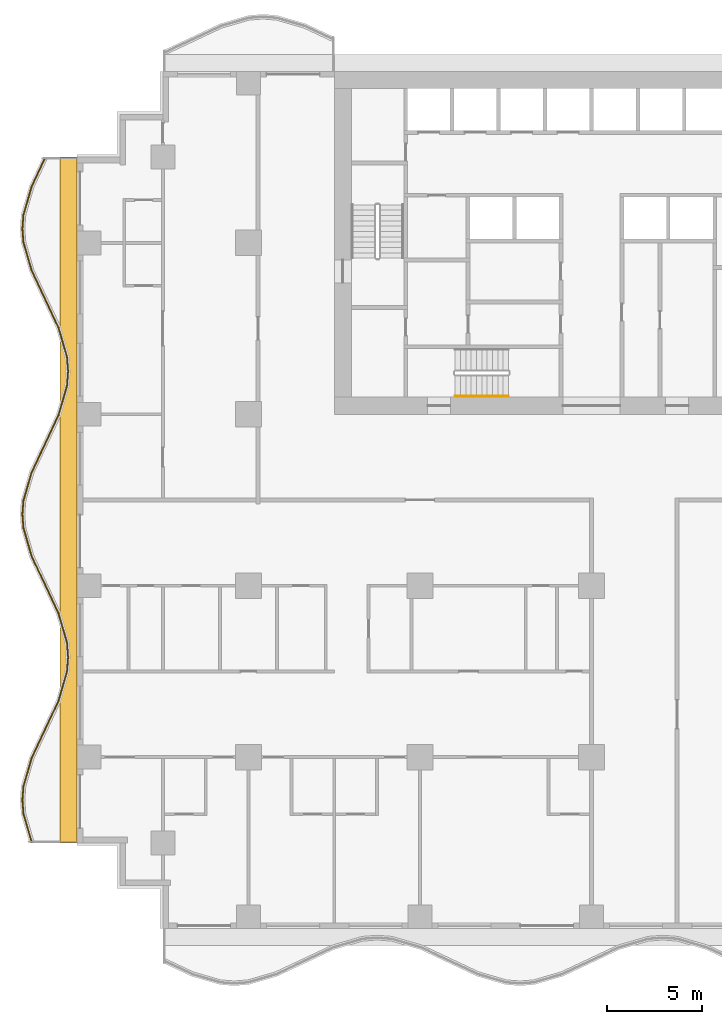
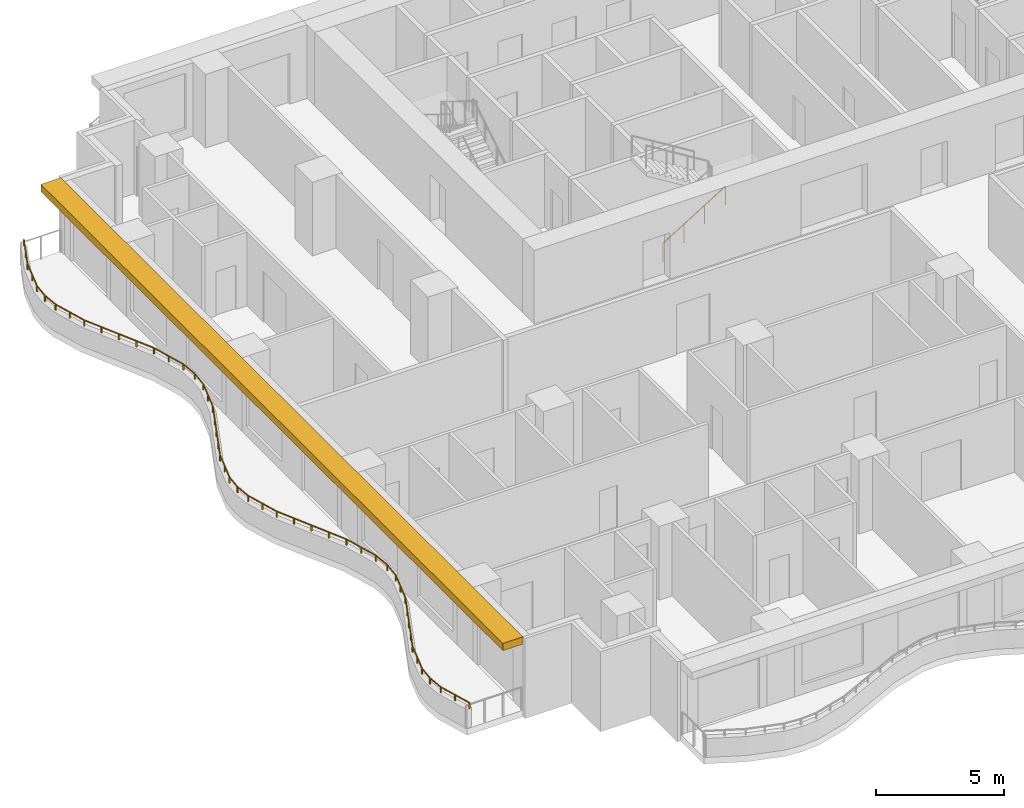
# One storey, part 9 of 14: 2 railings, 1 shading device.
"""IFC4 building model written with IfcOpenShell, lengths in metres."""

import ifcopenshell
import ifcopenshell.guid

model = None  # the IFC model being written
_history = None  # IfcOwnerHistory: only IFC2X3 demands one
_inside = {}  # id of a spatial element -> (the spatial element, [elements in it])
_under = {}  # id of a project, library or spatial element -> (it, [spatial elements below it])
_declared = {}  # id of a project -> (the project, [libraries it declares])
_typed = {}  # id of a type object -> (the type object, [elements of that type])
_made_of = {}  # id of a material, layer set ... -> (it, [elements and type objects made of it])


def new_model(schema):
    """Start an empty IFC model of exactly this schema.

    Asked for "IFC4X3", IfcOpenShell would pick the latest addendum, in which some entities
    have other attributes; the version numbers below select the first issue.
    IFC2X3 requires an IfcOwnerHistory on every rooted entity: one is made here for all.
    """
    global model, _history
    if schema == "IFC4X3":
        model = ifcopenshell.file(schema_version=(4, 3, 0, 0))
    else:
        model = ifcopenshell.file(schema=schema)
    _inside.clear()
    _under.clear()
    _declared.clear()
    _typed.clear()
    _made_of.clear()
    _history = None
    if model.schema == "IFC2X3":
        org = make("IfcOrganization", Name="unknown")
        user = make(
            "IfcPersonAndOrganization",
            ThePerson=make("IfcPerson", FamilyName="unknown"),
            TheOrganization=org,
        )
        app = make(
            "IfcApplication",
            ApplicationDeveloper=org,
            Version="unknown",
            ApplicationFullName="unknown",
            ApplicationIdentifier="unknown",
        )
        _history = make(
            "IfcOwnerHistory",
            OwningUser=user,
            OwningApplication=app,
            ChangeAction="ADDED",
            CreationDate=0,
        )
    return model


def make(cls, **values):
    """One entity of the class cls with the attributes given. An attribute that is None is left unset."""
    return model.create_entity(
        cls, **{name: value for name, value in values.items() if value is not None}
    )


def rooted(cls, **values):
    """An entity with a GlobalId (a new one), such as an element, a storey or a relation."""
    return make(cls, GlobalId=ifcopenshell.guid.new(), OwnerHistory=_history, **values)


def si_unit(unit_type, name, prefix=None):
    """IfcSIUnit, for example si_unit("LENGTHUNIT", "METRE", prefix="MILLI")."""
    return make("IfcSIUnit", UnitType=unit_type, Prefix=prefix, Name=name)


def assignment(units):
    """IfcUnitAssignment: the units of a project."""
    return None if units is None else make("IfcUnitAssignment", Units=units)


def point(xyz):
    """IfcCartesianPoint."""
    return None if xyz is None else make("IfcCartesianPoint", Coordinates=xyz)


def direction(xyz):
    """IfcDirection."""
    return None if xyz is None else make("IfcDirection", DirectionRatios=xyz)


def frame(location, z_axis=None, x_axis=None):
    """IfcAxis2Placement3D, a coordinate frame: its origin and axes. An axis left out is left unset."""
    return make(
        "IfcAxis2Placement3D",
        Location=point(location),
        Axis=direction(z_axis),
        RefDirection=direction(x_axis),
    )


def frame_2d(location, x_axis=None):
    """IfcAxis2Placement2D, a coordinate frame in the plane: its origin and x axis."""
    return make(
        "IfcAxis2Placement2D", Location=point(location), RefDirection=direction(x_axis)
    )


def origin():
    """The frame at (0, 0, 0) with its axes left unset."""
    return frame((0.0, 0.0, 0.0))


def origin_2d():
    """The frame at (0, 0) in the plane with its x axis left unset."""
    return frame_2d((0.0, 0.0))


def place(relative_to, where):
    """IfcLocalPlacement: puts the frame where relative to a parent placement (None: the world)."""
    return make(
        "IfcLocalPlacement", PlacementRelTo=relative_to, RelativePlacement=where
    )


def context(
    kind, dimensions, precision=None, world=None, true_north=None, identifier=None
):
    """IfcGeometricRepresentationContext, for example the 3D "Model" context."""
    return make(
        "IfcGeometricRepresentationContext",
        ContextIdentifier=identifier,
        ContextType=kind,
        CoordinateSpaceDimension=dimensions,
        Precision=precision,
        WorldCoordinateSystem=world,
        TrueNorth=true_north,
    )


def subcontext(parent, identifier, kind, view, scale=None):
    """IfcGeometricRepresentationSubContext, for example "Body" below "Model"."""
    return make(
        "IfcGeometricRepresentationSubContext",
        ContextIdentifier=identifier,
        ContextType=kind,
        ParentContext=parent,
        TargetScale=scale,
        TargetView=view,
    )


def project(units=None, contexts=None):
    """IfcProject with its units and contexts."""
    return rooted(
        "IfcProject",
        Name="project",
        RepresentationContexts=contexts,
        UnitsInContext=assignment(units),
    )


def spatial(cls, under=None, at=None, **own):
    """A site, building, storey or space (cls), placed at a placement, below another one or the project."""
    s = rooted(cls, ObjectPlacement=at, **own)
    if under is not None:
        _under.setdefault(under.id(), (under, []))[1].append(s)
    return s


def polyline(points):
    """IfcPolyline through the points."""
    return make("IfcPolyline", Points=[point(p) for p in points])


def profile(cls, at=None, kind="AREA", **sizes):
    """A parametric profile (cls). Its sizes go by their IFC names, for example OverallWidth=200.0."""
    return make(cls, ProfileType=kind, Position=at, **sizes)


def rectangle(**sizes):
    """IfcRectangleProfileDef."""
    return profile("IfcRectangleProfileDef", **sizes)


def circle(**sizes):
    """IfcCircleProfileDef."""
    return profile("IfcCircleProfileDef", **sizes)


def outline(outer, holes=None, kind="AREA"):
    """IfcArbitraryClosedProfileDef: a profile drawn as a closed curve; with holes, ...WithVoids."""
    if holes is None:
        return make("IfcArbitraryClosedProfileDef", ProfileType=kind, OuterCurve=outer)
    return make(
        "IfcArbitraryProfileDefWithVoids",
        ProfileType=kind,
        OuterCurve=outer,
        InnerCurves=holes,
    )


def extrude(swept, where, along, depth):
    """IfcExtrudedAreaSolid: the profile swept, set in the frame where, extruded along a direction by depth."""
    return make(
        "IfcExtrudedAreaSolid",
        SweptArea=swept,
        Position=where,
        ExtrudedDirection=direction(along),
        Depth=depth,
    )


def shape(context_of_items, identifier, shape_type, items):
    """IfcShapeRepresentation: the items that make up one representation, for example the "Body"."""
    return make(
        "IfcShapeRepresentation",
        ContextOfItems=context_of_items,
        RepresentationIdentifier=identifier,
        RepresentationType=shape_type,
        Items=items,
    )


def material(Name=None, Category=None):
    """IfcMaterial."""
    return make("IfcMaterial", Name=Name, Category=Category)


def layer(
    of_material, thickness, ventilated=None, Name=None, Category=None, Priority=None
):
    """IfcMaterialLayer: one layer of a wall or slab, of a material (None: an air gap)."""
    return make(
        "IfcMaterialLayer",
        Material=of_material,
        LayerThickness=thickness,
        IsVentilated=ventilated,
        Name=Name,
        Category=Category,
        Priority=Priority,
    )


def layer_set(layers, Name=None):
    """IfcMaterialLayerSet."""
    return make("IfcMaterialLayerSet", MaterialLayers=layers, LayerSetName=Name)


def made_of(thing, what):
    """Note that an element or type object is made of a material, layer set ...; save() writes the relation."""
    if what is not None:
        _made_of.setdefault(what.id(), (what, []))[1].append(thing)
    return thing


def type_object(cls, material=None, **own):
    """A type object (cls), such as IfcWallType, which elements share."""
    return made_of(rooted(cls, **own), material)


def element(
    cls,
    number,
    at=None,
    inside=None,
    cuts=None,
    type_object=None,
    material=None,
    context=None,
    identifier="Body",
    shape_type=None,
    held_by="IfcProductDefinitionShape",
    body=None,
    shapes=None,
    **own,
):
    """One element of the class cls, such as IfcWall. Its Tag is "e" and its number.

    at: its placement. inside: the storey or other place that contains it. cuts: it is an
    opening in that element (IfcRelVoidsElement). A single representation is given by context,
    identifier, shape_type and body (its items); several are given by shapes. held_by: the class
    of the entity that holds the representations. save() writes the other relations.
    """
    e = rooted(cls, Tag="e%d" % number, ObjectPlacement=at, **own)
    if body is not None:
        shapes = [shape(context, identifier, shape_type, body)]
    if shapes is not None:
        e.Representation = make(held_by, Representations=shapes)
    if inside is not None:
        _inside.setdefault(inside.id(), (inside, []))[1].append(e)
    if cuts is not None:
        rooted(
            "IfcRelVoidsElement", RelatingBuildingElement=cuts, RelatedOpeningElement=e
        )
    if type_object is not None:
        _typed.setdefault(type_object.id(), (type_object, []))[1].append(e)
    return made_of(e, material)


def aggregate(whole, parts):
    """IfcRelAggregates: a whole, such as a stair, and the parts it consists of."""
    return rooted("IfcRelAggregates", RelatingObject=whole, RelatedObjects=parts)


def save(model, path):
    """Write the relations noted so far, then the file.

    IfcRelAggregates (storeys below a building ...), IfcRelContainedInSpatialStructure (elements
    in a storey), IfcRelDefinesByType, IfcRelAssociatesMaterial and IfcRelDeclares: one each for
    every whole, place, type object, material and project.
    """
    for whole, parts in _under.values():
        aggregate(whole, parts)
    for where, things in _inside.values():
        rooted(
            "IfcRelContainedInSpatialStructure",
            RelatedElements=things,
            RelatingStructure=where,
        )
    for kind, things in _typed.values():
        rooted("IfcRelDefinesByType", RelatedObjects=things, RelatingType=kind)
    for what, things in _made_of.values():
        rooted("IfcRelAssociatesMaterial", RelatedObjects=things, RelatingMaterial=what)
    for by, libraries in _declared.values():
        rooted("IfcRelDeclares", RelatingContext=by, RelatedDefinitions=libraries)
    model.write(path)


model = new_model("IFC4")

# Units and contexts
model_context = context("Model", 3, precision=1e-05, world=origin(), true_north=direction((0.0, 1.0)))
body_context = subcontext(model_context, "Body", "Model", "MODEL_VIEW")
ifc_project = project(units=[si_unit("LENGTHUNIT", "METRE"), si_unit("AREAUNIT", "SQUARE_METRE"), si_unit("VOLUMEUNIT", "CUBIC_METRE"), si_unit("PLANEANGLEUNIT", "RADIAN"), si_unit("MASSUNIT", "GRAM", prefix="KILO")], contexts=[model_context])

# Site, building, storey
site_placement = place(None, origin())
site = spatial("IfcSite", under=ifc_project, at=site_placement, CompositionType="ELEMENT")
building_placement = place(site_placement, origin())
building = spatial("IfcBuilding", under=site, at=building_placement, Name="Orbiselva Terraces", CompositionType="ELEMENT")
storey_placement = place(building_placement, frame((0.0, 0.0, 107.4)))
storey = spatial("IfcBuildingStorey", under=building, at=storey_placement, Name="L27", CompositionType="ELEMENT", Elevation=107.4)

# Railings
ifc_material_1 = material(Name="Stainless steel", Category="steel")
railing_type_1 = type_object("IfcRailingType", Name="CORE-HANDRAIL-900", PredefinedType="HANDRAIL", material=ifc_material_1)
railing_1_placement = place(storey_placement, frame((-7.15, 5.45, 0.172727)))
element("IfcRailing", 1, at=railing_1_placement, inside=storey, type_object=railing_type_1, Name="L27 S3 stair handrail 1", PredefinedType="HANDRAIL", context=body_context, shape_type="SweptSolid", body=[
    extrude(circle(Radius=0.024, at=origin_2d()), frame((0.0, 0.0, 0.876), z_axis=(0.851088519012, 0.0, 0.52502222125), x_axis=(0.0, 1.0, 0.0)), (0.0, 0.0, 1.0), 3.289905),
    extrude(circle(Radius=0.021, at=origin_2d()), origin(), (0.0, 0.0, 1.0), 0.852),
    extrude(circle(Radius=0.021, at=origin_2d()), frame((0.933333, 0.0, 0.575758)), (0.0, 0.0, 1.0), 0.852),
    extrude(circle(Radius=0.021, at=origin_2d()), frame((1.866667, 0.0, 1.151515)), (0.0, 0.0, 1.0), 0.852),
    extrude(circle(Radius=0.021, at=origin_2d()), frame((2.8, 0.0, 1.727273)), (0.0, 0.0, 1.0), 0.852),
])
ifc_material_2 = material(Name="Bonded two-ply safety glass balustrade, stainless steel posts", Category="steel")
railing_type_2 = type_object("IfcRailingType", Name="ENV-BALUSTRADE-1200", PredefinedType="BALUSTRADE", material=ifc_material_2)
railing_2_placement = place(storey_placement, frame((-28.686882, 17.946809, 0.9)))
element("IfcRailing", 2, at=railing_2_placement, inside=storey, type_object=railing_type_2, Name="Balcony balustrade L27 W", PredefinedType="BALUSTRADE", context=body_context, shape_type="SweptSolid", body=[
    extrude(outline(polyline([(0.028868, 0.0), (0.014434, 0.025), (-0.014434, 0.025), (-0.028868, 0.0), (-0.014434, -0.025), (0.014434, -0.025), (0.028868, 0.0)])), frame((0.0, 0.0, 0.275), z_axis=(-0.425529912322, -0.904944359461, 0.0), x_axis=(0.904944359461, -0.425529912322, 0.0)), (0.0, 0.0, 1.0), 1.647746),
    extrude(outline(polyline([(0.028868, 0.0), (0.014434, 0.025), (-0.014434, 0.025), (-0.028868, 0.0), (-0.014434, -0.025), (0.014434, -0.025), (0.028868, 0.0)])), frame((-0.701165, -1.491118, 0.275), z_axis=(-0.279071528957, -0.960270317007, 0.0), x_axis=(0.960270317007, -0.279071528957, 0.0)), (0.0, 0.0, 1.0), 1.539408),
    extrude(outline(polyline([(0.028868, 0.0), (0.014434, 0.025), (-0.014434, 0.025), (-0.028868, 0.0), (-0.014434, -0.025), (0.014434, -0.025), (0.028868, 0.0)])), frame((-1.13077, -2.969366, 0.275), z_axis=(-0.078069536776, -0.996947916106, 0.0), x_axis=(0.996947916106, -0.078069536776, 0.0)), (0.0, 0.0, 1.0), 0.72967),
    extrude(outline(polyline([(0.028868, 0.0), (0.014434, 0.025), (-0.014434, 0.025), (-0.028868, 0.0), (-0.014434, -0.025), (0.014434, -0.025), (0.028868, 0.0)])), frame((-1.187735, -3.696809, 0.275), z_axis=(0.078069536776, -0.996947916106, 0.0), x_axis=(0.996947916106, 0.078069536776, 0.0)), (0.0, 0.0, 1.0), 0.72967),
    extrude(outline(polyline([(0.028868, 0.0), (0.014434, 0.025), (-0.014434, 0.025), (-0.028868, 0.0), (-0.014434, -0.025), (0.014434, -0.025), (0.028868, 0.0)])), frame((-1.13077, -4.424252, 0.275), z_axis=(0.279071528957, -0.960270317007, 0.0), x_axis=(0.960270317007, 0.279071528957, 0.0)), (0.0, 0.0, 1.0), 1.539408),
    extrude(outline(polyline([(0.028868, 0.0), (0.014434, 0.025), (-0.014434, 0.025), (-0.028868, 0.0), (-0.014434, -0.025), (0.014434, -0.025), (0.028868, 0.0)])), frame((-0.701165, -5.9025, 0.275), z_axis=(0.425529912322, -0.904944359461, 0.0), x_axis=(0.904944359461, 0.425529912322, 0.0)), (0.0, 0.0, 1.0), 1.647746),
    extrude(outline(polyline([(0.028868, 0.0), (0.014434, 0.025), (-0.014434, 0.025), (-0.028868, 0.0), (-0.014434, -0.025), (0.014434, -0.025), (0.028868, 0.0)])), frame((0.0, -7.393618, 0.275), z_axis=(0.425530342069, -0.904944157382, 0.0), x_axis=(0.904944157382, 0.425530342069, 0.0)), (0.0, 0.0, 1.0), 1.667376),
    extrude(outline(polyline([(0.028868, 0.0), (0.014434, 0.025), (-0.014434, 0.025), (-0.028868, 0.0), (-0.014434, -0.025), (0.014434, -0.025), (0.028868, 0.0)])), frame((0.709519, -8.9025, 0.275), z_axis=(0.279070928786, -0.960270491427, 0.0), x_axis=(0.960270491427, 0.279070928786, 0.0)), (0.0, 0.0, 1.0), 1.584712),
    extrude(outline(polyline([(0.028868, 0.0), (0.014434, 0.025), (-0.014434, 0.025), (-0.028868, 0.0), (-0.014434, -0.025), (0.014434, -0.025), (0.028868, 0.0)])), frame((1.151766, -10.424252, 0.275), z_axis=(0.078071061106, -0.996947796737, 0.0), x_axis=(0.996947796737, 0.078071061106, 0.0)), (0.0, 0.0, 1.0), 0.774922),
    extrude(outline(polyline([(0.028868, 0.0), (0.014434, 0.025), (-0.014434, 0.025), (-0.028868, 0.0), (-0.014434, -0.025), (0.014434, -0.025), (0.028868, 0.0)])), frame((1.212265, -11.196809, 0.275), z_axis=(-0.078071061106, -0.996947796737, 0.0), x_axis=(0.996947796737, -0.078071061106, 0.0)), (0.0, 0.0, 1.0), 0.774922),
    extrude(outline(polyline([(0.028868, 0.0), (0.014434, 0.025), (-0.014434, 0.025), (-0.028868, 0.0), (-0.014434, -0.025), (0.014434, -0.025), (0.028868, 0.0)])), frame((1.151766, -11.969366, 0.275), z_axis=(-0.279070928786, -0.960270491427, 0.0), x_axis=(0.960270491427, -0.279070928786, 0.0)), (0.0, 0.0, 1.0), 1.584712),
    extrude(outline(polyline([(0.028868, 0.0), (0.014434, 0.025), (-0.014434, 0.025), (-0.028868, 0.0), (-0.014434, -0.025), (0.014434, -0.025), (0.028868, 0.0)])), frame((0.709519, -13.491118, 0.275), z_axis=(-0.425530342069, -0.904944157382, 0.0), x_axis=(0.904944157382, -0.425530342069, 0.0)), (0.0, 0.0, 1.0), 1.667376),
    extrude(outline(polyline([(0.028868, 0.0), (0.014434, 0.025), (-0.014434, 0.025), (-0.028868, 0.0), (-0.014434, -0.025), (0.014434, -0.025), (0.028868, 0.0)])), frame((0.0, -15.0, 0.275), z_axis=(-0.425529912322, -0.904944359461, 0.0), x_axis=(0.904944359461, -0.425529912322, 0.0)), (0.0, 0.0, 1.0), 1.647746),
    extrude(outline(polyline([(0.028868, 0.0), (0.014434, 0.025), (-0.014434, 0.025), (-0.028868, 0.0), (-0.014434, -0.025), (0.014434, -0.025), (0.028868, 0.0)])), frame((-0.701165, -16.491118, 0.275), z_axis=(-0.279071528957, -0.960270317007, 0.0), x_axis=(0.960270317007, -0.279071528957, 0.0)), (0.0, 0.0, 1.0), 1.539408),
    extrude(outline(polyline([(0.028868, 0.0), (0.014434, 0.025), (-0.014434, 0.025), (-0.028868, 0.0), (-0.014434, -0.025), (0.014434, -0.025), (0.028868, 0.0)])), frame((-1.13077, -17.969366, 0.275), z_axis=(-0.078069536776, -0.996947916106, 0.0), x_axis=(0.996947916106, -0.078069536776, 0.0)), (0.0, 0.0, 1.0), 0.72967),
    extrude(outline(polyline([(0.028868, 0.0), (0.014434, 0.025), (-0.014434, 0.025), (-0.028868, 0.0), (-0.014434, -0.025), (0.014434, -0.025), (0.028868, 0.0)])), frame((-1.187735, -18.696809, 0.275), z_axis=(0.078069536776, -0.996947916106, 0.0), x_axis=(0.996947916106, 0.078069536776, 0.0)), (0.0, 0.0, 1.0), 0.72967),
    extrude(outline(polyline([(0.028868, 0.0), (0.014434, 0.025), (-0.014434, 0.025), (-0.028868, 0.0), (-0.014434, -0.025), (0.014434, -0.025), (0.028868, 0.0)])), frame((-1.13077, -19.424252, 0.275), z_axis=(0.279071528957, -0.960270317007, 0.0), x_axis=(0.960270317007, 0.279071528957, 0.0)), (0.0, 0.0, 1.0), 1.539408),
    extrude(outline(polyline([(0.028868, 0.0), (0.014434, 0.025), (-0.014434, 0.025), (-0.028868, 0.0), (-0.014434, -0.025), (0.014434, -0.025), (0.028868, 0.0)])), frame((-0.701165, -20.9025, 0.275), z_axis=(0.425529912322, -0.904944359461, 0.0), x_axis=(0.904944359461, 0.425529912322, 0.0)), (0.0, 0.0, 1.0), 1.647746),
    extrude(outline(polyline([(0.028868, 0.0), (0.014434, 0.025), (-0.014434, 0.025), (-0.028868, 0.0), (-0.014434, -0.025), (0.014434, -0.025), (0.028868, 0.0)])), frame((0.0, -22.393618, 0.275), z_axis=(0.425530342069, -0.904944157382, 0.0), x_axis=(0.904944157382, 0.425530342069, 0.0)), (0.0, 0.0, 1.0), 1.667376),
    extrude(outline(polyline([(0.028868, 0.0), (0.014434, 0.025), (-0.014434, 0.025), (-0.028868, 0.0), (-0.014434, -0.025), (0.014434, -0.025), (0.028868, 0.0)])), frame((0.709519, -23.9025, 0.275), z_axis=(0.279070928786, -0.960270491427, 0.0), x_axis=(0.960270491427, 0.279070928786, 0.0)), (0.0, 0.0, 1.0), 1.584712),
    extrude(outline(polyline([(0.028868, 0.0), (0.014434, 0.025), (-0.014434, 0.025), (-0.028868, 0.0), (-0.014434, -0.025), (0.014434, -0.025), (0.028868, 0.0)])), frame((1.151766, -25.424252, 0.275), z_axis=(0.078071061106, -0.996947796737, 0.0), x_axis=(0.996947796737, 0.078071061106, 0.0)), (0.0, 0.0, 1.0), 0.774922),
    extrude(outline(polyline([(0.028868, 0.0), (0.014434, 0.025), (-0.014434, 0.025), (-0.028868, 0.0), (-0.014434, -0.025), (0.014434, -0.025), (0.028868, 0.0)])), frame((1.212265, -26.196809, 0.275), z_axis=(-0.078071061106, -0.996947796737, 0.0), x_axis=(0.996947796737, -0.078071061106, 0.0)), (0.0, 0.0, 1.0), 0.774922),
    extrude(outline(polyline([(0.028868, 0.0), (0.014434, 0.025), (-0.014434, 0.025), (-0.028868, 0.0), (-0.014434, -0.025), (0.014434, -0.025), (0.028868, 0.0)])), frame((1.151766, -26.969366, 0.275), z_axis=(-0.279070928786, -0.960270491427, 0.0), x_axis=(0.960270491427, -0.279070928786, 0.0)), (0.0, 0.0, 1.0), 1.584712),
    extrude(outline(polyline([(0.028868, 0.0), (0.014434, 0.025), (-0.014434, 0.025), (-0.028868, 0.0), (-0.014434, -0.025), (0.014434, -0.025), (0.028868, 0.0)])), frame((0.709519, -28.491118, 0.275), z_axis=(-0.425530342069, -0.904944157382, 0.0), x_axis=(0.904944157382, -0.425530342069, 0.0)), (0.0, 0.0, 1.0), 1.667376),
    extrude(outline(polyline([(0.028868, 0.0), (0.014434, 0.025), (-0.014434, 0.025), (-0.028868, 0.0), (-0.014434, -0.025), (0.014434, -0.025), (0.028868, 0.0)])), frame((0.0, -30.0, 0.275), z_axis=(-0.425529912322, -0.904944359461, 0.0), x_axis=(0.904944359461, -0.425529912322, 0.0)), (0.0, 0.0, 1.0), 1.647746),
    extrude(outline(polyline([(0.028868, 0.0), (0.014434, 0.025), (-0.014434, 0.025), (-0.028868, 0.0), (-0.014434, -0.025), (0.014434, -0.025), (0.028868, 0.0)])), frame((-0.701165, -31.491118, 0.275), z_axis=(-0.279071528957, -0.960270317007, 0.0), x_axis=(0.960270317007, -0.279071528957, 0.0)), (0.0, 0.0, 1.0), 1.539408),
    extrude(outline(polyline([(0.028868, 0.0), (0.014434, 0.025), (-0.014434, 0.025), (-0.028868, 0.0), (-0.014434, -0.025), (0.014434, -0.025), (0.028868, 0.0)])), frame((-1.13077, -32.969366, 0.275), z_axis=(-0.078069536776, -0.996947916106, 0.0), x_axis=(0.996947916106, -0.078069536776, 0.0)), (0.0, 0.0, 1.0), 0.72967),
    extrude(outline(polyline([(0.028868, 0.0), (0.014434, 0.025), (-0.014434, 0.025), (-0.028868, 0.0), (-0.014434, -0.025), (0.014434, -0.025), (0.028868, 0.0)])), frame((-1.187735, -33.696809, 0.275), z_axis=(0.078069536776, -0.996947916106, 0.0), x_axis=(0.996947916106, 0.078069536776, 0.0)), (0.0, 0.0, 1.0), 0.72967),
    extrude(outline(polyline([(0.028868, 0.0), (0.014434, 0.025), (-0.014434, 0.025), (-0.028868, 0.0), (-0.014434, -0.025), (0.014434, -0.025), (0.028868, 0.0)])), frame((-1.13077, -34.424252, 0.275), z_axis=(0.279071486336, -0.960270329394, 0.0), x_axis=(0.960270329394, 0.279071486336, 0.0)), (0.0, 0.0, 1.0), 1.549223),
    extrude(rectangle(XDim=0.05, YDim=0.05, at=origin_2d()), origin(), (0.0, 0.0, 1.0), 0.25),
    extrude(rectangle(XDim=0.05, YDim=0.05, at=origin_2d()), frame((-0.350582, -0.745559, 0.0)), (0.0, 0.0, 1.0), 0.25),
    extrude(rectangle(XDim=0.05, YDim=0.05, at=origin_2d()), frame((-0.701165, -1.491118, 0.0)), (0.0, 0.0, 1.0), 0.25),
    extrude(rectangle(XDim=0.05, YDim=0.05, at=origin_2d()), frame((-0.915967, -2.230242, 0.0)), (0.0, 0.0, 1.0), 0.25),
    extrude(rectangle(XDim=0.05, YDim=0.05, at=origin_2d()), frame((-1.13077, -2.969366, 0.0)), (0.0, 0.0, 1.0), 0.25),
    extrude(rectangle(XDim=0.05, YDim=0.05, at=origin_2d()), frame((-1.187735, -3.696809, 0.0)), (0.0, 0.0, 1.0), 0.25),
    extrude(rectangle(XDim=0.05, YDim=0.05, at=origin_2d()), frame((-1.13077, -4.424252, 0.0)), (0.0, 0.0, 1.0), 0.25),
    extrude(rectangle(XDim=0.05, YDim=0.05, at=origin_2d()), frame((-0.915967, -5.163376, 0.0)), (0.0, 0.0, 1.0), 0.25),
    extrude(rectangle(XDim=0.05, YDim=0.05, at=origin_2d()), frame((-0.701165, -5.9025, 0.0)), (0.0, 0.0, 1.0), 0.25),
    extrude(rectangle(XDim=0.05, YDim=0.05, at=origin_2d()), frame((-0.350582, -6.648059, 0.0)), (0.0, 0.0, 1.0), 0.25),
    extrude(rectangle(XDim=0.05, YDim=0.05, at=origin_2d()), frame((0.0, -7.393618, 0.0)), (0.0, 0.0, 1.0), 0.25),
    extrude(rectangle(XDim=0.05, YDim=0.05, at=origin_2d()), frame((0.35476, -8.148059, 0.0)), (0.0, 0.0, 1.0), 0.25),
    extrude(rectangle(XDim=0.05, YDim=0.05, at=origin_2d()), frame((0.709519, -8.9025, 0.0)), (0.0, 0.0, 1.0), 0.25),
    extrude(rectangle(XDim=0.05, YDim=0.05, at=origin_2d()), frame((0.930643, -9.663376, 0.0)), (0.0, 0.0, 1.0), 0.25),
    extrude(rectangle(XDim=0.05, YDim=0.05, at=origin_2d()), frame((1.151766, -10.424252, 0.0)), (0.0, 0.0, 1.0), 0.25),
    extrude(rectangle(XDim=0.05, YDim=0.05, at=origin_2d()), frame((1.212265, -11.196809, 0.0)), (0.0, 0.0, 1.0), 0.25),
    extrude(rectangle(XDim=0.05, YDim=0.05, at=origin_2d()), frame((1.151766, -11.969366, 0.0)), (0.0, 0.0, 1.0), 0.25),
    extrude(rectangle(XDim=0.05, YDim=0.05, at=origin_2d()), frame((0.930643, -12.730242, 0.0)), (0.0, 0.0, 1.0), 0.25),
    extrude(rectangle(XDim=0.05, YDim=0.05, at=origin_2d()), frame((0.709519, -13.491118, 0.0)), (0.0, 0.0, 1.0), 0.25),
    extrude(rectangle(XDim=0.05, YDim=0.05, at=origin_2d()), frame((0.35476, -14.245559, 0.0)), (0.0, 0.0, 1.0), 0.25),
    extrude(rectangle(XDim=0.05, YDim=0.05, at=origin_2d()), frame((0.0, -15.0, 0.0)), (0.0, 0.0, 1.0), 0.25),
    extrude(rectangle(XDim=0.05, YDim=0.05, at=origin_2d()), frame((-0.350582, -15.745559, 0.0)), (0.0, 0.0, 1.0), 0.25),
    extrude(rectangle(XDim=0.05, YDim=0.05, at=origin_2d()), frame((-0.701165, -16.491118, 0.0)), (0.0, 0.0, 1.0), 0.25),
    extrude(rectangle(XDim=0.05, YDim=0.05, at=origin_2d()), frame((-0.915967, -17.230242, 0.0)), (0.0, 0.0, 1.0), 0.25),
    extrude(rectangle(XDim=0.05, YDim=0.05, at=origin_2d()), frame((-1.13077, -17.969366, 0.0)), (0.0, 0.0, 1.0), 0.25),
    extrude(rectangle(XDim=0.05, YDim=0.05, at=origin_2d()), frame((-1.187735, -18.696809, 0.0)), (0.0, 0.0, 1.0), 0.25),
    extrude(rectangle(XDim=0.05, YDim=0.05, at=origin_2d()), frame((-1.13077, -19.424252, 0.0)), (0.0, 0.0, 1.0), 0.25),
    extrude(rectangle(XDim=0.05, YDim=0.05, at=origin_2d()), frame((-0.915967, -20.163376, 0.0)), (0.0, 0.0, 1.0), 0.25),
    extrude(rectangle(XDim=0.05, YDim=0.05, at=origin_2d()), frame((-0.701165, -20.9025, 0.0)), (0.0, 0.0, 1.0), 0.25),
    extrude(rectangle(XDim=0.05, YDim=0.05, at=origin_2d()), frame((-0.350582, -21.648059, 0.0)), (0.0, 0.0, 1.0), 0.25),
    extrude(rectangle(XDim=0.05, YDim=0.05, at=origin_2d()), frame((0.0, -22.393618, 0.0)), (0.0, 0.0, 1.0), 0.25),
    extrude(rectangle(XDim=0.05, YDim=0.05, at=origin_2d()), frame((0.35476, -23.148059, 0.0)), (0.0, 0.0, 1.0), 0.25),
    extrude(rectangle(XDim=0.05, YDim=0.05, at=origin_2d()), frame((0.709519, -23.9025, 0.0)), (0.0, 0.0, 1.0), 0.25),
    extrude(rectangle(XDim=0.05, YDim=0.05, at=origin_2d()), frame((0.930643, -24.663376, 0.0)), (0.0, 0.0, 1.0), 0.25),
    extrude(rectangle(XDim=0.05, YDim=0.05, at=origin_2d()), frame((1.151766, -25.424252, 0.0)), (0.0, 0.0, 1.0), 0.25),
    extrude(rectangle(XDim=0.05, YDim=0.05, at=origin_2d()), frame((1.212265, -26.196809, 0.0)), (0.0, 0.0, 1.0), 0.25),
    extrude(rectangle(XDim=0.05, YDim=0.05, at=origin_2d()), frame((1.151766, -26.969366, 0.0)), (0.0, 0.0, 1.0), 0.25),
    extrude(rectangle(XDim=0.05, YDim=0.05, at=origin_2d()), frame((0.930643, -27.730242, 0.0)), (0.0, 0.0, 1.0), 0.25),
    extrude(rectangle(XDim=0.05, YDim=0.05, at=origin_2d()), frame((0.709519, -28.491118, 0.0)), (0.0, 0.0, 1.0), 0.25),
    extrude(rectangle(XDim=0.05, YDim=0.05, at=origin_2d()), frame((0.35476, -29.245559, 0.0)), (0.0, 0.0, 1.0), 0.25),
    extrude(rectangle(XDim=0.05, YDim=0.05, at=origin_2d()), frame((0.0, -30.0, 0.0)), (0.0, 0.0, 1.0), 0.25),
    extrude(rectangle(XDim=0.05, YDim=0.05, at=origin_2d()), frame((-0.350582, -30.745559, 0.0)), (0.0, 0.0, 1.0), 0.25),
    extrude(rectangle(XDim=0.05, YDim=0.05, at=origin_2d()), frame((-0.701165, -31.491118, 0.0)), (0.0, 0.0, 1.0), 0.25),
    extrude(rectangle(XDim=0.05, YDim=0.05, at=origin_2d()), frame((-0.915967, -32.230242, 0.0)), (0.0, 0.0, 1.0), 0.25),
    extrude(rectangle(XDim=0.05, YDim=0.05, at=origin_2d()), frame((-1.13077, -32.969366, 0.0)), (0.0, 0.0, 1.0), 0.25),
    extrude(rectangle(XDim=0.05, YDim=0.05, at=origin_2d()), frame((-1.187735, -33.696809, 0.0)), (0.0, 0.0, 1.0), 0.25),
    extrude(rectangle(XDim=0.05, YDim=0.05, at=origin_2d()), frame((-1.13077, -34.424252, 0.0)), (0.0, 0.0, 1.0), 0.25),
    extrude(rectangle(XDim=0.05, YDim=0.05, at=origin_2d()), frame((-0.914598, -35.168088, 0.0)), (0.0, 0.0, 1.0), 0.25),
    extrude(rectangle(XDim=0.05, YDim=0.05, at=origin_2d()), frame((-0.698426, -35.911925, 0.0)), (0.0, 0.0, 1.0), 0.25),
])

# Shading device
ifc_material_3 = material(Name="Terracotta baguette sunshade", Category="masonry")
ifc_layer = layer(ifc_material_3, 0.35)
ifc_layer_set = layer_set([ifc_layer], Name="Terracotta baguette sunshade")
shading_device_type = type_object("IfcShadingDeviceType", Name="ENV-SUNSHADE-900x350", PredefinedType="USERDEFINED", material=ifc_layer_set)
shading_device_placement = place(storey_placement, frame((0.0, 0.0, 3.15)))
element("IfcShadingDevice", 3, at=shading_device_placement, inside=storey, type_object=shading_device_type, Name="Sunshade band L27 W", ObjectType="SUNSHADE", PredefinedType="USERDEFINED", context=body_context, shape_type="SweptSolid", body=[
    extrude(outline(polyline([(-27.9, 18.0), (-27.9, -18.0), (-27.0, -18.0), (-27.0, 18.0), (-27.9, 18.0)])), origin(), (0.0, 0.0, 1.0), 0.35),
])

save(model, "model.ifc")
